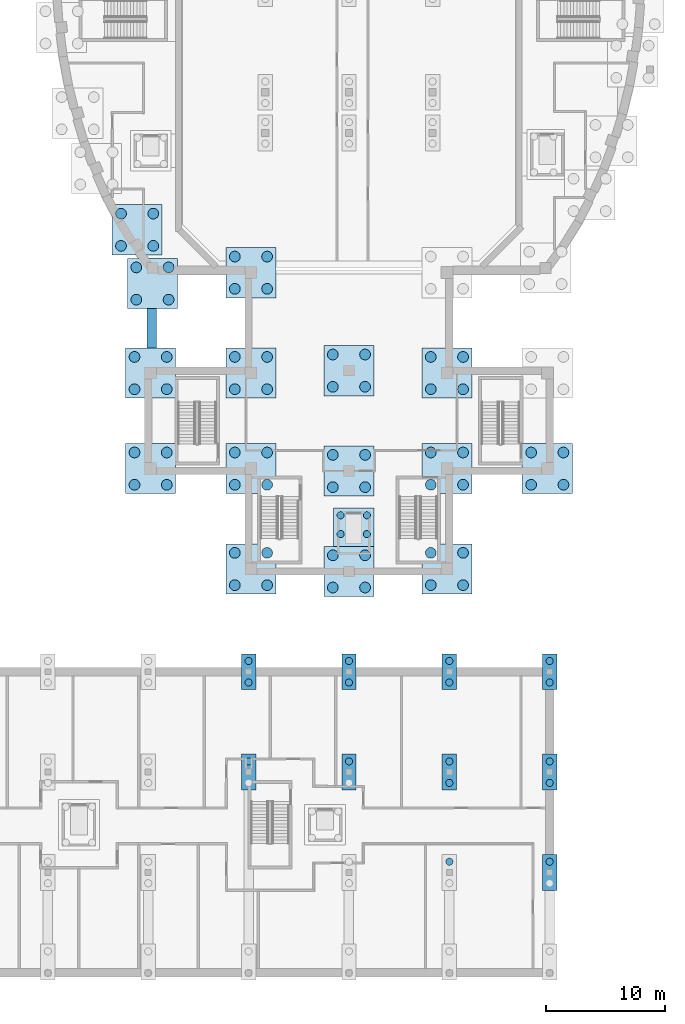
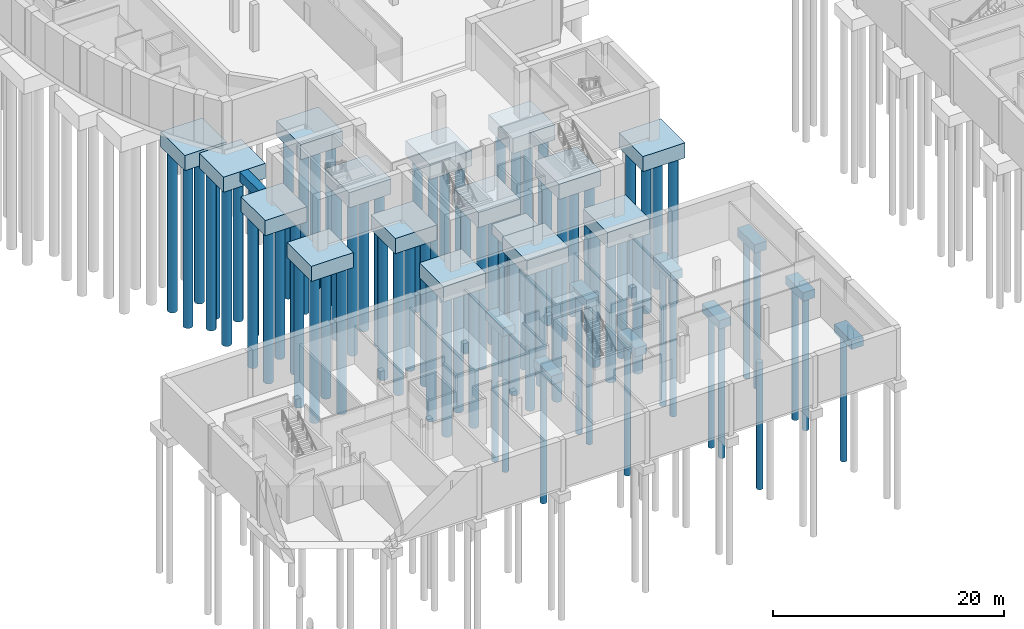
# One storey, part 2 of 33: 80 piles, 26 footings.
"""IFC4 building model written with IfcOpenShell, lengths in metres."""

from ifc_helpers import new_model, si_unit, direction, frame, origin, origin_2d, place, context, subcontext, project, spatial, polyline, circle, outline, extrude, material, material_profile, profile_set, type_object, element, save


model = new_model("IFC4")

# Units and contexts
model_context = context("Model", 3, precision=1e-05, world=origin(), true_north=direction((0.0, 1.0)))
body_context = subcontext(model_context, "Body", "Model", "MODEL_VIEW")
ifc_project = project(units=[si_unit("LENGTHUNIT", "METRE"), si_unit("AREAUNIT", "SQUARE_METRE"), si_unit("VOLUMEUNIT", "CUBIC_METRE"), si_unit("PLANEANGLEUNIT", "RADIAN"), si_unit("MASSUNIT", "GRAM", prefix="KILO")], contexts=[model_context])

# Site, building, storey
site_placement = place(None, origin())
site = spatial("IfcSite", under=ifc_project, at=site_placement, CompositionType="ELEMENT")
building_placement = place(site_placement, origin())
building = spatial("IfcBuilding", under=site, at=building_placement, Name="Larchfold Concert Hall", CompositionType="ELEMENT")
storey_placement = place(building_placement, frame((0.0, 0.0, -5.0)))
storey = spatial("IfcBuildingStorey", under=building, at=storey_placement, Name="B1", CompositionType="ELEMENT", Elevation=-5.0)

# Piles
ifc_material_1 = material(Name="Concrete C30/37", Category="concrete")
ifc_material_profile_1 = material_profile(ifc_material_1, circle(Radius=0.300048828125, at=origin_2d()))
ifc_profile_set_1 = profile_set([ifc_material_profile_1], Name="Concrete C30/37")
pile_type_1 = type_object("IfcPileType", Name="Bored pile D600", PredefinedType="BORED", material=ifc_profile_set_1)
pile_1_placement = place(storey_placement, frame((34.199951171875, 18.300048828125, -1.300048828125), z_axis=(0.0, 0.0, -1.0), x_axis=(1.0, 0.0, 0.0)))
element("IfcPile", 1, at=pile_1_placement, inside=storey, type_object=pile_type_1, Name="Pile P0096", PredefinedType="BORED", context=body_context, shape_type="SweptSolid", body=[
    extrude(circle(Radius=0.300048828125, at=origin_2d()), origin(), (0.0, 0.0, 1.0), 14.1396484375),
])
for number, where, z_axis, x_axis, name in (
    (2, (34.199951171875, 24.89990234375, -1.300048828125), (0.0, 0.0, -1.0), (1.0, 0.0, 0.0), "Pile P0097"),
    (3, (34.199951171875, 26.699951171875, -1.300048828125), (0.0, 0.0, -1.0), (1.0, 0.0, 0.0), "Pile P0098"),
):
    element("IfcPile", number, at=place(storey_placement, frame(where, z_axis=z_axis, x_axis=x_axis)), inside=storey, type_object=pile_type_1, Name=name, PredefinedType="BORED", context=body_context, shape_type="SweptSolid", body=[
        extrude(circle(Radius=0.300048828125, at=origin_2d()), origin(), (0.0, 0.0, 1.0), 14.834716796875),
    ])
pile_2_placement = place(storey_placement, frame((42.60009765625, 18.300048828125, -1.300048828125), z_axis=(0.0, 0.0, -1.0), x_axis=(1.0, 0.0, 0.0)))
element("IfcPile", 4, at=pile_2_placement, inside=storey, type_object=pile_type_1, Name="Pile P0136", PredefinedType="BORED", context=body_context, shape_type="SweptSolid", body=[
    extrude(circle(Radius=0.300048828125, at=origin_2d()), origin(), (0.0, 0.0, 1.0), 14.1396484375),
])
for number, where, z_axis, x_axis, name in (
    (5, (42.60009765625, 24.89990234375, -1.300048828125), (0.0, 0.0, -1.0), (1.0, 0.0, 0.0), "Pile P0137"),
    (6, (42.60009765625, 26.699951171875, -1.300048828125), (0.0, 0.0, -1.0), (1.0, 0.0, 0.0), "Pile P0138"),
):
    element("IfcPile", number, at=place(storey_placement, frame(where, z_axis=z_axis, x_axis=x_axis)), inside=storey, type_object=pile_type_1, Name=name, PredefinedType="BORED", context=body_context, shape_type="SweptSolid", body=[
        extrude(circle(Radius=0.300048828125, at=origin_2d()), origin(), (0.0, 0.0, 1.0), 14.834716796875),
    ])
pile_3_placement = place(storey_placement, frame((51.0, 9.89990234375, -1.300048828125), z_axis=(0.0, 0.0, -1.0), x_axis=(1.0, 0.0, 0.0)))
element("IfcPile", 7, at=pile_3_placement, inside=storey, type_object=pile_type_1, Name="Pile P0202", PredefinedType="BORED", context=body_context, shape_type="SweptSolid", body=[
    extrude(circle(Radius=0.300048828125, at=origin_2d()), origin(), (0.0, 0.0, 1.0), 13.444580078125),
])
for number, where, z_axis, x_axis, name in (
    (8, (51.0, 16.5, -1.300048828125), (0.0, 0.0, -1.0), (1.0, 0.0, 0.0), "Pile P0203"),
    (9, (51.0, 18.300048828125, -1.300048828125), (0.0, 0.0, -1.0), (1.0, 0.0, 0.0), "Pile P0204"),
):
    element("IfcPile", number, at=place(storey_placement, frame(where, z_axis=z_axis, x_axis=x_axis)), inside=storey, type_object=pile_type_1, Name=name, PredefinedType="BORED", context=body_context, shape_type="SweptSolid", body=[
        extrude(circle(Radius=0.300048828125, at=origin_2d()), origin(), (0.0, 0.0, 1.0), 14.1396484375),
    ])
for number, where, z_axis, x_axis, name in (
    (10, (51.0, 24.89990234375, -1.300048828125), (0.0, 0.0, -1.0), (1.0, 0.0, 0.0), "Pile P0205"),
    (11, (51.0, 26.699951171875, -1.300048828125), (0.0, 0.0, -1.0), (1.0, 0.0, 0.0), "Pile P0206"),
):
    element("IfcPile", number, at=place(storey_placement, frame(where, z_axis=z_axis, x_axis=x_axis)), inside=storey, type_object=pile_type_1, Name=name, PredefinedType="BORED", context=body_context, shape_type="SweptSolid", body=[
        extrude(circle(Radius=0.300048828125, at=origin_2d()), origin(), (0.0, 0.0, 1.0), 14.834716796875),
    ])
pile_4_placement = place(storey_placement, frame((59.39990234375, 9.89990234375, -1.300048828125), z_axis=(0.0, 0.0, -1.0), x_axis=(1.0, 0.0, 0.0)))
element("IfcPile", 12, at=pile_4_placement, inside=storey, type_object=pile_type_1, Name="Pile P0230", PredefinedType="BORED", context=body_context, shape_type="SweptSolid", body=[
    extrude(circle(Radius=0.300048828125, at=origin_2d()), origin(), (0.0, 0.0, 1.0), 13.444580078125),
])
for number, where, z_axis, x_axis, name in (
    (13, (59.39990234375, 16.5, -1.300048828125), (0.0, 0.0, -1.0), (1.0, 0.0, 0.0), "Pile P0231"),
    (14, (59.39990234375, 18.300048828125, -1.300048828125), (0.0, 0.0, -1.0), (1.0, 0.0, 0.0), "Pile P0232"),
):
    element("IfcPile", number, at=place(storey_placement, frame(where, z_axis=z_axis, x_axis=x_axis)), inside=storey, type_object=pile_type_1, Name=name, PredefinedType="BORED", context=body_context, shape_type="SweptSolid", body=[
        extrude(circle(Radius=0.300048828125, at=origin_2d()), origin(), (0.0, 0.0, 1.0), 14.1396484375),
    ])
for number, where, z_axis, x_axis, name in (
    (15, (59.39990234375, 24.89990234375, -1.300048828125), (0.0, 0.0, -1.0), (1.0, 0.0, 0.0), "Pile P0233"),
    (16, (59.39990234375, 26.699951171875, -1.300048828125), (0.0, 0.0, -1.0), (1.0, 0.0, 0.0), "Pile P0234"),
):
    element("IfcPile", number, at=place(storey_placement, frame(where, z_axis=z_axis, x_axis=x_axis)), inside=storey, type_object=pile_type_1, Name=name, PredefinedType="BORED", context=body_context, shape_type="SweptSolid", body=[
        extrude(circle(Radius=0.300048828125, at=origin_2d()), origin(), (0.0, 0.0, 1.0), 14.834716796875),
    ])
pile_5_placement = place(storey_placement, frame((41.900146484375, 37.321533203125, -2.300048828125), z_axis=(0.0, 0.0, -1.0), x_axis=(1.0, 0.0, 0.0)))
element("IfcPile", 17, at=pile_5_placement, inside=storey, type_object=pile_type_1, Name="Pile P0379", PredefinedType="BORED", context=body_context, shape_type="SweptSolid", body=[
    extrude(circle(Radius=0.300048828125, at=origin_2d()), origin(), (0.0, 0.0, 1.0), 14.7880859375),
])
pile_6_placement = place(storey_placement, frame((41.900146484375, 38.89990234375, -2.300048828125), z_axis=(0.0, 0.0, -1.0), x_axis=(1.0, 0.0, 0.0)))
element("IfcPile", 18, at=pile_6_placement, inside=storey, type_object=pile_type_1, Name="Pile P0380", PredefinedType="BORED", context=body_context, shape_type="SweptSolid", body=[
    extrude(circle(Radius=0.300048828125, at=origin_2d()), origin(), (0.0, 0.0, 1.0), 14.918701171875),
])
pile_7_placement = place(storey_placement, frame((44.10009765625, 37.321533203125, -2.300048828125), z_axis=(0.0, 0.0, -1.0), x_axis=(1.0, 0.0, 0.0)))
element("IfcPile", 19, at=pile_7_placement, inside=storey, type_object=pile_type_1, Name="Pile P0381", PredefinedType="BORED", context=body_context, shape_type="SweptSolid", body=[
    extrude(circle(Radius=0.300048828125, at=origin_2d()), origin(), (0.0, 0.0, 1.0), 14.7880859375),
])
pile_8_placement = place(storey_placement, frame((44.10009765625, 38.89990234375, -2.300048828125), z_axis=(0.0, 0.0, -1.0), x_axis=(1.0, 0.0, 0.0)))
element("IfcPile", 20, at=pile_8_placement, inside=storey, type_object=pile_type_1, Name="Pile P0382", PredefinedType="BORED", context=body_context, shape_type="SweptSolid", body=[
    extrude(circle(Radius=0.300048828125, at=origin_2d()), origin(), (0.0, 0.0, 1.0), 14.918701171875),
])
ifc_material_2 = material(Name="Concrete C30/37", Category="concrete")
ifc_material_profile_2 = material_profile(ifc_material_2, circle(Radius=0.449951171875, at=origin_2d()))
ifc_profile_set_2 = profile_set([ifc_material_profile_2], Name="Concrete C30/37")
pile_type_2 = type_object("IfcPileType", Name="Bored pile D900", PredefinedType="BORED", material=ifc_profile_set_2)
for number, where, z_axis, x_axis, name in (
    (21, (23.5224609375, 61.443603515625, -2.0), (0.0, 0.0, -1.0), (1.0, 0.0, 0.0), "Pile P0057"),
    (22, (23.5224609375, 64.1435546875, -2.0), (0.0, 0.0, -1.0), (1.0, 0.0, 0.0), "Pile P0058"),
    (23, (26.222412109375, 61.443603515625, -2.0), (0.0, 0.0, -1.0), (1.0, 0.0, 0.0), "Pile P0059"),
    (24, (26.222412109375, 64.1435546875, -2.0), (0.0, 0.0, -1.0), (1.0, 0.0, 0.0), "Pile P0060"),
):
    element("IfcPile", number, at=place(storey_placement, frame(where, z_axis=z_axis, x_axis=x_axis)), inside=storey, type_object=pile_type_2, Name=name, PredefinedType="BORED", context=body_context, shape_type="SweptSolid", body=[
        extrude(circle(Radius=0.449951171875, at=origin_2d()), origin(), (0.0, 0.0, 1.0), 17.19580078125),
    ])
for number, where, z_axis, x_axis, name in (
    (25, (24.64990234375, 41.449951171875, -2.0), (0.0, 0.0, -1.0), (1.0, 0.0, 0.0), "Pile P0073"),
    (26, (24.64990234375, 44.150146484375, -2.0), (0.0, 0.0, -1.0), (1.0, 0.0, 0.0), "Pile P0074"),
    (27, (27.35009765625, 41.449951171875, -2.0), (0.0, 0.0, -1.0), (1.0, 0.0, 0.0), "Pile P0075"),
    (28, (27.35009765625, 44.150146484375, -2.0), (0.0, 0.0, -1.0), (1.0, 0.0, 0.0), "Pile P0076"),
):
    element("IfcPile", number, at=place(storey_placement, frame(where, z_axis=z_axis, x_axis=x_axis)), inside=storey, type_object=pile_type_2, Name=name, PredefinedType="BORED", context=body_context, shape_type="SweptSolid", body=[
        extrude(circle(Radius=0.449951171875, at=origin_2d()), origin(), (0.0, 0.0, 1.0), 15.541259765625),
    ])
for number, where, z_axis, x_axis, name in (
    (29, (24.64990234375, 49.449951171875, -2.0), (0.0, 0.0, -1.0), (1.0, 0.0, 0.0), "Pile P0077"),
    (30, (24.64990234375, 52.150146484375, -2.0), (0.0, 0.0, -1.0), (1.0, 0.0, 0.0), "Pile P0078"),
    (31, (27.35009765625, 49.449951171875, -2.0), (0.0, 0.0, -1.0), (1.0, 0.0, 0.0), "Pile P0079"),
    (32, (27.35009765625, 52.150146484375, -2.0), (0.0, 0.0, -1.0), (1.0, 0.0, 0.0), "Pile P0080"),
):
    element("IfcPile", number, at=place(storey_placement, frame(where, z_axis=z_axis, x_axis=x_axis)), inside=storey, type_object=pile_type_2, Name=name, PredefinedType="BORED", context=body_context, shape_type="SweptSolid", body=[
        extrude(circle(Radius=0.449951171875, at=origin_2d()), origin(), (0.0, 0.0, 1.0), 16.203369140625),
    ])
for number, where, z_axis, x_axis, name in (
    (33, (24.802978515625, 56.943603515625, -2.0), (0.0, 0.0, -1.0), (1.0, 0.0, 0.0), "Pile P0081"),
    (34, (24.802978515625, 59.6435546875, -2.0), (0.0, 0.0, -1.0), (1.0, 0.0, 0.0), "Pile P0082"),
    (35, (27.503173828125, 56.943603515625, -2.0), (0.0, 0.0, -1.0), (1.0, 0.0, 0.0), "Pile P0083"),
    (36, (27.503173828125, 59.6435546875, -2.0), (0.0, 0.0, -1.0), (1.0, 0.0, 0.0), "Pile P0084"),
):
    element("IfcPile", number, at=place(storey_placement, frame(where, z_axis=z_axis, x_axis=x_axis)), inside=storey, type_object=pile_type_2, Name=name, PredefinedType="BORED", context=body_context, shape_type="SweptSolid", body=[
        extrude(circle(Radius=0.449951171875, at=origin_2d()), origin(), (0.0, 0.0, 1.0), 16.8232421875),
    ])
for number, where, z_axis, x_axis, name in (
    (37, (33.0498046875, 33.0498046875, -2.0), (0.0, 0.0, -1.0), (1.0, 0.0, 0.0), "Pile P0099"),
    (38, (33.0498046875, 35.75, -2.0), (0.0, 0.0, -1.0), (1.0, 0.0, 0.0), "Pile P0100"),
    (39, (35.75, 33.0498046875, -2.0), (0.0, 0.0, -1.0), (1.0, 0.0, 0.0), "Pile P0101"),
    (40, (35.75, 35.75, -2.0), (0.0, 0.0, -1.0), (1.0, 0.0, 0.0), "Pile P0102"),
):
    element("IfcPile", number, at=place(storey_placement, frame(where, z_axis=z_axis, x_axis=x_axis)), inside=storey, type_object=pile_type_2, Name=name, PredefinedType="BORED", context=body_context, shape_type="SweptSolid", body=[
        extrude(circle(Radius=0.449951171875, at=origin_2d()), origin(), (0.0, 0.0, 1.0), 14.846435546875),
    ])
for number, where, z_axis, x_axis, name in (
    (41, (33.0498046875, 41.449951171875, -2.0), (0.0, 0.0, -1.0), (1.0, 0.0, 0.0), "Pile P0103"),
    (42, (33.0498046875, 44.150146484375, -2.0), (0.0, 0.0, -1.0), (1.0, 0.0, 0.0), "Pile P0104"),
    (43, (35.75, 41.449951171875, -2.0), (0.0, 0.0, -1.0), (1.0, 0.0, 0.0), "Pile P0105"),
    (44, (35.75, 44.150146484375, -2.0), (0.0, 0.0, -1.0), (1.0, 0.0, 0.0), "Pile P0106"),
):
    element("IfcPile", number, at=place(storey_placement, frame(where, z_axis=z_axis, x_axis=x_axis)), inside=storey, type_object=pile_type_2, Name=name, PredefinedType="BORED", context=body_context, shape_type="SweptSolid", body=[
        extrude(circle(Radius=0.449951171875, at=origin_2d()), origin(), (0.0, 0.0, 1.0), 15.541259765625),
    ])
for number, where, z_axis, x_axis, name in (
    (45, (33.0498046875, 49.449951171875, -2.0), (0.0, 0.0, -1.0), (1.0, 0.0, 0.0), "Pile P0107"),
    (46, (33.0498046875, 52.150146484375, -2.0), (0.0, 0.0, -1.0), (1.0, 0.0, 0.0), "Pile P0108"),
    (47, (35.75, 49.449951171875, -2.0), (0.0, 0.0, -1.0), (1.0, 0.0, 0.0), "Pile P0109"),
    (48, (35.75, 52.150146484375, -2.0), (0.0, 0.0, -1.0), (1.0, 0.0, 0.0), "Pile P0110"),
):
    element("IfcPile", number, at=place(storey_placement, frame(where, z_axis=z_axis, x_axis=x_axis)), inside=storey, type_object=pile_type_2, Name=name, PredefinedType="BORED", context=body_context, shape_type="SweptSolid", body=[
        extrude(circle(Radius=0.449951171875, at=origin_2d()), origin(), (0.0, 0.0, 1.0), 16.203369140625),
    ])
for number, where, z_axis, x_axis, name in (
    (49, (33.0498046875, 57.849853515625, -2.0), (0.0, 0.0, -1.0), (1.0, 0.0, 0.0), "Pile P0111"),
    (50, (33.0498046875, 60.550048828125, -2.0), (0.0, 0.0, -1.0), (1.0, 0.0, 0.0), "Pile P0112"),
    (51, (35.75, 57.849853515625, -2.0), (0.0, 0.0, -1.0), (1.0, 0.0, 0.0), "Pile P0113"),
    (52, (35.75, 60.550048828125, -2.0), (0.0, 0.0, -1.0), (1.0, 0.0, 0.0), "Pile P0114"),
):
    element("IfcPile", number, at=place(storey_placement, frame(where, z_axis=z_axis, x_axis=x_axis)), inside=storey, type_object=pile_type_2, Name=name, PredefinedType="BORED", context=body_context, shape_type="SweptSolid", body=[
        extrude(circle(Radius=0.449951171875, at=origin_2d()), origin(), (0.0, 0.0, 1.0), 16.8984375),
    ])
for number, where, z_axis, x_axis, name in (
    (53, (41.25, 32.849853515625, -2.0), (0.0, 0.0, -1.0), (1.0, 0.0, 0.0), "Pile P0139"),
    (54, (41.25, 35.550048828125, -2.0), (0.0, 0.0, -1.0), (1.0, 0.0, 0.0), "Pile P0140"),
    (55, (43.9501953125, 32.849853515625, -2.0), (0.0, 0.0, -1.0), (1.0, 0.0, 0.0), "Pile P0141"),
    (56, (43.9501953125, 35.550048828125, -2.0), (0.0, 0.0, -1.0), (1.0, 0.0, 0.0), "Pile P0142"),
):
    element("IfcPile", number, at=place(storey_placement, frame(where, z_axis=z_axis, x_axis=x_axis)), inside=storey, type_object=pile_type_2, Name=name, PredefinedType="BORED", context=body_context, shape_type="SweptSolid", body=[
        extrude(circle(Radius=0.449951171875, at=origin_2d()), origin(), (0.0, 0.0, 1.0), 14.829833984375),
    ])
for number, where, z_axis, x_axis, name in (
    (57, (41.25, 41.25, -2.0), (0.0, 0.0, -1.0), (1.0, 0.0, 0.0), "Pile P0143"),
    (58, (41.25, 43.9501953125, -2.0), (0.0, 0.0, -1.0), (1.0, 0.0, 0.0), "Pile P0144"),
    (59, (43.9501953125, 41.25, -2.0), (0.0, 0.0, -1.0), (1.0, 0.0, 0.0), "Pile P0145"),
    (60, (43.9501953125, 43.9501953125, -2.0), (0.0, 0.0, -1.0), (1.0, 0.0, 0.0), "Pile P0146"),
):
    element("IfcPile", number, at=place(storey_placement, frame(where, z_axis=z_axis, x_axis=x_axis)), inside=storey, type_object=pile_type_2, Name=name, PredefinedType="BORED", context=body_context, shape_type="SweptSolid", body=[
        extrude(circle(Radius=0.449951171875, at=origin_2d()), origin(), (0.0, 0.0, 1.0), 15.52490234375),
    ])
for number, where, z_axis, x_axis, name in (
    (61, (41.25, 49.64990234375, -2.0), (0.0, 0.0, -1.0), (1.0, 0.0, 0.0), "Pile P0147"),
    (62, (41.25, 52.35009765625, -2.0), (0.0, 0.0, -1.0), (1.0, 0.0, 0.0), "Pile P0148"),
    (63, (43.9501953125, 49.64990234375, -2.0), (0.0, 0.0, -1.0), (1.0, 0.0, 0.0), "Pile P0149"),
    (64, (43.9501953125, 52.35009765625, -2.0), (0.0, 0.0, -1.0), (1.0, 0.0, 0.0), "Pile P0150"),
):
    element("IfcPile", number, at=place(storey_placement, frame(where, z_axis=z_axis, x_axis=x_axis)), inside=storey, type_object=pile_type_2, Name=name, PredefinedType="BORED", context=body_context, shape_type="SweptSolid", body=[
        extrude(circle(Radius=0.449951171875, at=origin_2d()), origin(), (0.0, 0.0, 1.0), 16.219970703125),
    ])
for number, where, z_axis, x_axis, name in (
    (65, (49.449951171875, 33.0498046875, -2.0), (0.0, 0.0, -1.0), (1.0, 0.0, 0.0), "Pile P0183"),
    (66, (49.449951171875, 35.75, -2.0), (0.0, 0.0, -1.0), (1.0, 0.0, 0.0), "Pile P0184"),
    (67, (52.150146484375, 33.0498046875, -2.0), (0.0, 0.0, -1.0), (1.0, 0.0, 0.0), "Pile P0185"),
    (68, (52.150146484375, 35.75, -2.0), (0.0, 0.0, -1.0), (1.0, 0.0, 0.0), "Pile P0186"),
):
    element("IfcPile", number, at=place(storey_placement, frame(where, z_axis=z_axis, x_axis=x_axis)), inside=storey, type_object=pile_type_2, Name=name, PredefinedType="BORED", context=body_context, shape_type="SweptSolid", body=[
        extrude(circle(Radius=0.449951171875, at=origin_2d()), origin(), (0.0, 0.0, 1.0), 14.846435546875),
    ])
for number, where, z_axis, x_axis, name in (
    (69, (49.449951171875, 41.449951171875, -2.0), (0.0, 0.0, -1.0), (1.0, 0.0, 0.0), "Pile P0187"),
    (70, (49.449951171875, 44.150146484375, -2.0), (0.0, 0.0, -1.0), (1.0, 0.0, 0.0), "Pile P0188"),
    (71, (52.150146484375, 41.449951171875, -2.0), (0.0, 0.0, -1.0), (1.0, 0.0, 0.0), "Pile P0189"),
    (72, (52.150146484375, 44.150146484375, -2.0), (0.0, 0.0, -1.0), (1.0, 0.0, 0.0), "Pile P0190"),
):
    element("IfcPile", number, at=place(storey_placement, frame(where, z_axis=z_axis, x_axis=x_axis)), inside=storey, type_object=pile_type_2, Name=name, PredefinedType="BORED", context=body_context, shape_type="SweptSolid", body=[
        extrude(circle(Radius=0.449951171875, at=origin_2d()), origin(), (0.0, 0.0, 1.0), 15.541259765625),
    ])
for number, where, z_axis, x_axis, name in (
    (73, (49.449951171875, 49.449951171875, -2.0), (0.0, 0.0, -1.0), (1.0, 0.0, 0.0), "Pile P0191"),
    (74, (49.449951171875, 52.150146484375, -2.0), (0.0, 0.0, -1.0), (1.0, 0.0, 0.0), "Pile P0192"),
    (75, (52.150146484375, 49.449951171875, -2.0), (0.0, 0.0, -1.0), (1.0, 0.0, 0.0), "Pile P0193"),
    (76, (52.150146484375, 52.150146484375, -2.0), (0.0, 0.0, -1.0), (1.0, 0.0, 0.0), "Pile P0194"),
):
    element("IfcPile", number, at=place(storey_placement, frame(where, z_axis=z_axis, x_axis=x_axis)), inside=storey, type_object=pile_type_2, Name=name, PredefinedType="BORED", context=body_context, shape_type="SweptSolid", body=[
        extrude(circle(Radius=0.449951171875, at=origin_2d()), origin(), (0.0, 0.0, 1.0), 16.203369140625),
    ])
for number, where, z_axis, x_axis, name in (
    (77, (57.849853515625, 41.449951171875, -2.0), (0.0, 0.0, -1.0), (1.0, 0.0, 0.0), "Pile P0219"),
    (78, (57.849853515625, 44.150146484375, -2.0), (0.0, 0.0, -1.0), (1.0, 0.0, 0.0), "Pile P0220"),
    (79, (60.550048828125, 41.449951171875, -2.0), (0.0, 0.0, -1.0), (1.0, 0.0, 0.0), "Pile P0221"),
    (80, (60.550048828125, 44.150146484375, -2.0), (0.0, 0.0, -1.0), (1.0, 0.0, 0.0), "Pile P0222"),
):
    element("IfcPile", number, at=place(storey_placement, frame(where, z_axis=z_axis, x_axis=x_axis)), inside=storey, type_object=pile_type_2, Name=name, PredefinedType="BORED", context=body_context, shape_type="SweptSolid", body=[
        extrude(circle(Radius=0.449951171875, at=origin_2d()), origin(), (0.0, 0.0, 1.0), 15.541259765625),
    ])

# Footings
ifc_material_3 = material(Name="Concrete C30/37", Category="concrete")
footing_type_1 = type_object("IfcFootingType", Name="Pad footing 3400x3200x1000", PredefinedType="PAD_FOOTING", material=ifc_material_3)
footing_1_placement = place(storey_placement, frame((0.0, 0.0, -2.39990234375)))
element("IfcFooting", 81, at=footing_1_placement, inside=storey, type_object=footing_type_1, Name="Pit footing PC0117", PredefinedType="PAD_FOOTING", context=body_context, shape_type="SweptSolid", body=[
    extrude(outline(polyline([(44.7001953125, 36.300048828125), (44.7001953125, 39.5), (41.300048828125, 39.5), (41.300048828125, 36.300048828125), (44.7001953125, 36.300048828125)])), origin(), (0.0, 0.0, 1.0), 1.0),
])
ifc_material_4 = material(Name="Concrete C30/37", Category="concrete")
footing_type_2 = type_object("IfcFootingType", Name="Pile cap 1200x3000x900", PredefinedType="PILE_CAP", material=ifc_material_4)
footing_2_placement = place(storey_placement, frame((0.0, 0.0, -1.39990234375)))
element("IfcFooting", 82, at=footing_2_placement, inside=storey, type_object=footing_type_2, Name="Pile cap PC0033", PredefinedType="PILE_CAP", context=body_context, shape_type="SweptSolid", body=[
    extrude(outline(polyline([(34.800048828125, 15.89990234375), (34.800048828125, 18.89990234375), (33.60009765625, 18.89990234375), (33.60009765625, 15.89990234375), (34.800048828125, 15.89990234375)])), origin(), (0.0, 0.0, 1.0), 0.89990234375),
])
footing_3_placement = place(storey_placement, frame((0.0, 0.0, -1.39990234375)))
element("IfcFooting", 83, at=footing_3_placement, inside=storey, type_object=footing_type_2, Name="Pile cap PC0034", PredefinedType="PILE_CAP", context=body_context, shape_type="SweptSolid", body=[
    extrude(outline(polyline([(34.800048828125, 24.300048828125), (34.800048828125, 27.300048828125), (33.60009765625, 27.300048828125), (33.60009765625, 24.300048828125), (34.800048828125, 24.300048828125)])), origin(), (0.0, 0.0, 1.0), 0.89990234375),
])
footing_4_placement = place(storey_placement, frame((0.0, 0.0, -1.39990234375)))
element("IfcFooting", 84, at=footing_4_placement, inside=storey, type_object=footing_type_2, Name="Pile cap PC0047", PredefinedType="PILE_CAP", context=body_context, shape_type="SweptSolid", body=[
    extrude(outline(polyline([(43.199951171875, 15.89990234375), (43.199951171875, 18.89990234375), (42.0, 18.89990234375), (42.0, 15.89990234375), (43.199951171875, 15.89990234375)])), origin(), (0.0, 0.0, 1.0), 0.89990234375),
])
footing_5_placement = place(storey_placement, frame((0.0, 0.0, -1.39990234375)))
element("IfcFooting", 85, at=footing_5_placement, inside=storey, type_object=footing_type_2, Name="Pile cap PC0048", PredefinedType="PILE_CAP", context=body_context, shape_type="SweptSolid", body=[
    extrude(outline(polyline([(43.199951171875, 24.300048828125), (43.199951171875, 27.300048828125), (42.0, 27.300048828125), (42.0, 24.300048828125), (43.199951171875, 24.300048828125)])), origin(), (0.0, 0.0, 1.0), 0.89990234375),
])
footing_6_placement = place(storey_placement, frame((0.0, 0.0, -1.39990234375)))
element("IfcFooting", 86, at=footing_6_placement, inside=storey, type_object=footing_type_2, Name="Pile cap PC0070", PredefinedType="PILE_CAP", context=body_context, shape_type="SweptSolid", body=[
    extrude(outline(polyline([(51.60009765625, 15.89990234375), (51.60009765625, 18.89990234375), (50.39990234375, 18.89990234375), (50.39990234375, 15.89990234375), (51.60009765625, 15.89990234375)])), origin(), (0.0, 0.0, 1.0), 0.89990234375),
])
footing_7_placement = place(storey_placement, frame((0.0, 0.0, -1.39990234375)))
element("IfcFooting", 87, at=footing_7_placement, inside=storey, type_object=footing_type_2, Name="Pile cap PC0071", PredefinedType="PILE_CAP", context=body_context, shape_type="SweptSolid", body=[
    extrude(outline(polyline([(51.60009765625, 24.300048828125), (51.60009765625, 27.300048828125), (50.39990234375, 27.300048828125), (50.39990234375, 24.300048828125), (51.60009765625, 24.300048828125)])), origin(), (0.0, 0.0, 1.0), 0.89990234375),
])
footing_8_placement = place(storey_placement, frame((0.0, 0.0, -1.39990234375)))
element("IfcFooting", 88, at=footing_8_placement, inside=storey, type_object=footing_type_2, Name="Pile cap PC0078", PredefinedType="PILE_CAP", context=body_context, shape_type="SweptSolid", body=[
    extrude(outline(polyline([(60.0, 7.5), (60.0, 10.5), (58.800048828125, 10.5), (58.800048828125, 7.5), (60.0, 7.5)])), origin(), (0.0, 0.0, 1.0), 0.89990234375),
])
footing_9_placement = place(storey_placement, frame((0.0, 0.0, -1.39990234375)))
element("IfcFooting", 89, at=footing_9_placement, inside=storey, type_object=footing_type_2, Name="Pile cap PC0079", PredefinedType="PILE_CAP", context=body_context, shape_type="SweptSolid", body=[
    extrude(outline(polyline([(60.0, 15.89990234375), (60.0, 18.89990234375), (58.800048828125, 18.89990234375), (58.800048828125, 15.89990234375), (60.0, 15.89990234375)])), origin(), (0.0, 0.0, 1.0), 0.89990234375),
])
footing_10_placement = place(storey_placement, frame((0.0, 0.0, -1.39990234375)))
element("IfcFooting", 90, at=footing_10_placement, inside=storey, type_object=footing_type_2, Name="Pile cap PC0080", PredefinedType="PILE_CAP", context=body_context, shape_type="SweptSolid", body=[
    extrude(outline(polyline([(60.0, 24.300048828125), (60.0, 27.300048828125), (58.800048828125, 27.300048828125), (58.800048828125, 24.300048828125), (60.0, 24.300048828125)])), origin(), (0.0, 0.0, 1.0), 0.89990234375),
])
ifc_material_5 = material(Name="Concrete C30/37", Category="concrete")
footing_type_3 = type_object("IfcFootingType", Name="Pile cap 4200x4200x1600", PredefinedType="PILE_CAP", material=ifc_material_5)
footing_11_placement = place(storey_placement, frame((0.0, 0.0, -2.10009765625)))
element("IfcFooting", 91, at=footing_11_placement, inside=storey, type_object=footing_type_3, Name="Pile cap PC0021", PredefinedType="PILE_CAP", context=body_context, shape_type="SweptSolid", body=[
    extrude(outline(polyline([(26.972412109375, 60.693603515625), (26.972412109375, 64.8935546875), (22.7724609375, 64.8935546875), (22.7724609375, 60.693603515625), (26.972412109375, 60.693603515625)])), origin(), (0.0, 0.0, 1.0), 1.60009765625),
])
footing_12_placement = place(storey_placement, frame((0.0, 0.0, -2.10009765625)))
element("IfcFooting", 92, at=footing_12_placement, inside=storey, type_object=footing_type_3, Name="Pile cap PC0027", PredefinedType="PILE_CAP", context=body_context, shape_type="SweptSolid", body=[
    extrude(outline(polyline([(28.10009765625, 40.699951171875), (28.10009765625, 44.900146484375), (23.89990234375, 44.900146484375), (23.89990234375, 40.699951171875), (28.10009765625, 40.699951171875)])), origin(), (0.0, 0.0, 1.0), 1.60009765625),
])
footing_13_placement = place(storey_placement, frame((0.0, 0.0, -2.10009765625)))
element("IfcFooting", 93, at=footing_13_placement, inside=storey, type_object=footing_type_3, Name="Pile cap PC0028", PredefinedType="PILE_CAP", context=body_context, shape_type="SweptSolid", body=[
    extrude(outline(polyline([(28.10009765625, 48.699951171875), (28.10009765625, 52.900146484375), (23.89990234375, 52.900146484375), (23.89990234375, 48.699951171875), (28.10009765625, 48.699951171875)])), origin(), (0.0, 0.0, 1.0), 1.60009765625),
])
footing_14_placement = place(storey_placement, frame((0.0, 0.0, -2.10009765625)))
element("IfcFooting", 94, at=footing_14_placement, inside=storey, type_object=footing_type_3, Name="Pile cap PC0029", PredefinedType="PILE_CAP", context=body_context, shape_type="SweptSolid", body=[
    extrude(outline(polyline([(28.253173828125, 56.193603515625), (28.253173828125, 60.3935546875), (24.052978515625, 60.3935546875), (24.052978515625, 56.193603515625), (28.253173828125, 56.193603515625)])), origin(), (0.0, 0.0, 1.0), 1.60009765625),
])
footing_15_placement = place(storey_placement, frame((0.0, 0.0, -2.10009765625)))
element("IfcFooting", 95, at=footing_15_placement, inside=storey, type_object=footing_type_3, Name="Pile cap PC0035", PredefinedType="PILE_CAP", context=body_context, shape_type="SweptSolid", body=[
    extrude(outline(polyline([(36.5, 32.2998046875), (36.5, 36.5), (32.2998046875, 36.5), (32.2998046875, 32.2998046875), (36.5, 32.2998046875)])), origin(), (0.0, 0.0, 1.0), 1.60009765625),
])
footing_16_placement = place(storey_placement, frame((0.0, 0.0, -2.10009765625)))
element("IfcFooting", 96, at=footing_16_placement, inside=storey, type_object=footing_type_3, Name="Pile cap PC0036", PredefinedType="PILE_CAP", context=body_context, shape_type="SweptSolid", body=[
    extrude(outline(polyline([(36.5, 40.699951171875), (36.5, 44.900146484375), (32.2998046875, 44.900146484375), (32.2998046875, 40.699951171875), (36.5, 40.699951171875)])), origin(), (0.0, 0.0, 1.0), 1.60009765625),
])
footing_17_placement = place(storey_placement, frame((0.0, 0.0, -2.10009765625)))
element("IfcFooting", 97, at=footing_17_placement, inside=storey, type_object=footing_type_3, Name="Pile cap PC0037", PredefinedType="PILE_CAP", context=body_context, shape_type="SweptSolid", body=[
    extrude(outline(polyline([(36.5, 48.699951171875), (36.5, 52.900146484375), (32.2998046875, 52.900146484375), (32.2998046875, 48.699951171875), (36.5, 48.699951171875)])), origin(), (0.0, 0.0, 1.0), 1.60009765625),
])
footing_18_placement = place(storey_placement, frame((0.0, 0.0, -2.10009765625)))
element("IfcFooting", 98, at=footing_18_placement, inside=storey, type_object=footing_type_3, Name="Pile cap PC0038", PredefinedType="PILE_CAP", context=body_context, shape_type="SweptSolid", body=[
    extrude(outline(polyline([(36.5, 57.099853515625), (36.5, 61.300048828125), (32.2998046875, 61.300048828125), (32.2998046875, 57.099853515625), (36.5, 57.099853515625)])), origin(), (0.0, 0.0, 1.0), 1.60009765625),
])
footing_19_placement = place(storey_placement, frame((0.0, 0.0, -2.10009765625)))
element("IfcFooting", 99, at=footing_19_placement, inside=storey, type_object=footing_type_3, Name="Pile cap PC0049", PredefinedType="PILE_CAP", context=body_context, shape_type="SweptSolid", body=[
    extrude(outline(polyline([(44.7001953125, 32.099853515625), (44.7001953125, 36.300048828125), (40.5, 36.300048828125), (40.5, 32.099853515625), (44.7001953125, 32.099853515625)])), origin(), (0.0, 0.0, 1.0), 1.60009765625),
])
footing_20_placement = place(storey_placement, frame((0.0, 0.0, -2.10009765625)))
element("IfcFooting", 100, at=footing_20_placement, inside=storey, type_object=footing_type_3, Name="Pile cap PC0050", PredefinedType="PILE_CAP", context=body_context, shape_type="SweptSolid", body=[
    extrude(outline(polyline([(44.7001953125, 40.5), (44.7001953125, 44.7001953125), (40.5, 44.7001953125), (40.5, 40.5), (44.7001953125, 40.5)])), origin(), (0.0, 0.0, 1.0), 1.60009765625),
])
footing_21_placement = place(storey_placement, frame((0.0, 0.0, -2.10009765625)))
element("IfcFooting", 101, at=footing_21_placement, inside=storey, type_object=footing_type_3, Name="Pile cap PC0051", PredefinedType="PILE_CAP", context=body_context, shape_type="SweptSolid", body=[
    extrude(outline(polyline([(44.7001953125, 48.89990234375), (44.7001953125, 53.10009765625), (40.5, 53.10009765625), (40.5, 48.89990234375), (44.7001953125, 48.89990234375)])), origin(), (0.0, 0.0, 1.0), 1.60009765625),
])
footing_22_placement = place(storey_placement, frame((0.0, 0.0, -2.10009765625)))
element("IfcFooting", 102, at=footing_22_placement, inside=storey, type_object=footing_type_3, Name="Pile cap PC0064", PredefinedType="PILE_CAP", context=body_context, shape_type="SweptSolid", body=[
    extrude(outline(polyline([(52.900146484375, 32.2998046875), (52.900146484375, 36.5), (48.699951171875, 36.5), (48.699951171875, 32.2998046875), (52.900146484375, 32.2998046875)])), origin(), (0.0, 0.0, 1.0), 1.60009765625),
])
footing_23_placement = place(storey_placement, frame((0.0, 0.0, -2.10009765625)))
element("IfcFooting", 103, at=footing_23_placement, inside=storey, type_object=footing_type_3, Name="Pile cap PC0065", PredefinedType="PILE_CAP", context=body_context, shape_type="SweptSolid", body=[
    extrude(outline(polyline([(52.900146484375, 40.699951171875), (52.900146484375, 44.900146484375), (48.699951171875, 44.900146484375), (48.699951171875, 40.699951171875), (52.900146484375, 40.699951171875)])), origin(), (0.0, 0.0, 1.0), 1.60009765625),
])
footing_24_placement = place(storey_placement, frame((0.0, 0.0, -2.10009765625)))
element("IfcFooting", 104, at=footing_24_placement, inside=storey, type_object=footing_type_3, Name="Pile cap PC0066", PredefinedType="PILE_CAP", context=body_context, shape_type="SweptSolid", body=[
    extrude(outline(polyline([(52.900146484375, 48.699951171875), (52.900146484375, 52.900146484375), (48.699951171875, 52.900146484375), (48.699951171875, 48.699951171875), (52.900146484375, 48.699951171875)])), origin(), (0.0, 0.0, 1.0), 1.60009765625),
])
footing_25_placement = place(storey_placement, frame((0.0, 0.0, -2.10009765625)))
element("IfcFooting", 105, at=footing_25_placement, inside=storey, type_object=footing_type_3, Name="Pile cap PC0075", PredefinedType="PILE_CAP", context=body_context, shape_type="SweptSolid", body=[
    extrude(outline(polyline([(61.300048828125, 40.699951171875), (61.300048828125, 44.900146484375), (57.099853515625, 44.900146484375), (57.099853515625, 40.699951171875), (61.300048828125, 40.699951171875)])), origin(), (0.0, 0.0, 1.0), 1.60009765625),
])
ifc_material_6 = material(Name="Concrete C30/37", Category="concrete")
footing_type_4 = type_object("IfcFootingType", Name="Strip footing 800x1000", PredefinedType="STRIP_FOOTING", material=ifc_material_6)
footing_26_placement = place(storey_placement, frame((0.0, 0.0, -1.5)))
element("IfcFooting", 106, at=footing_26_placement, inside=storey, type_object=footing_type_4, Name="Ground beam GB0006", PredefinedType="STRIP_FOOTING", context=body_context, shape_type="SweptSolid", body=[
    extrude(outline(polyline([(25.676513671875, 52.900146484375), (26.4765625, 52.900146484375), (26.4765625, 56.193603515625), (25.676513671875, 56.193603515625), (25.676513671875, 52.900146484375)])), origin(), (0.0, 0.0, 1.0), 1.0),
])

save(model, "model.ifc")
